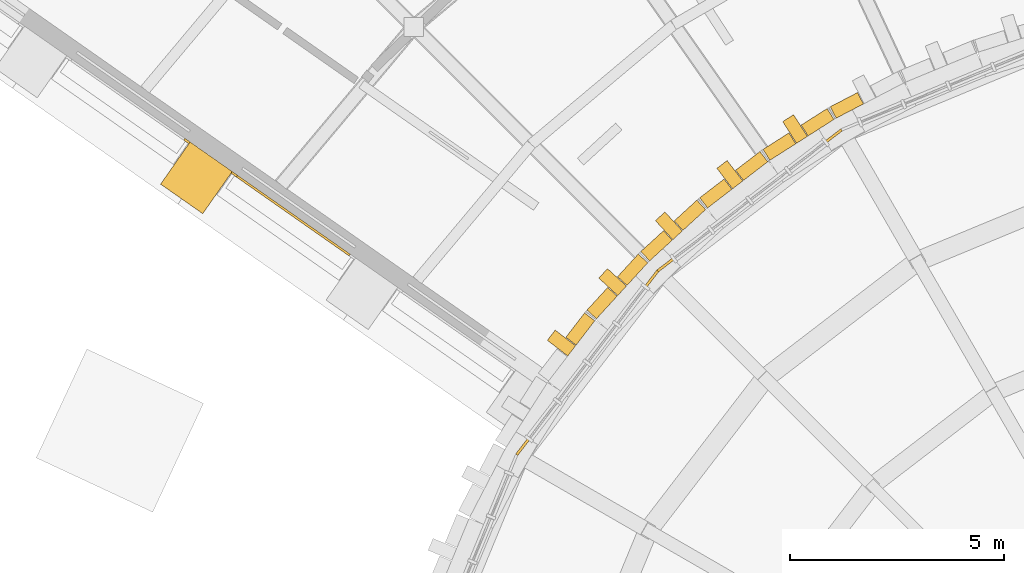
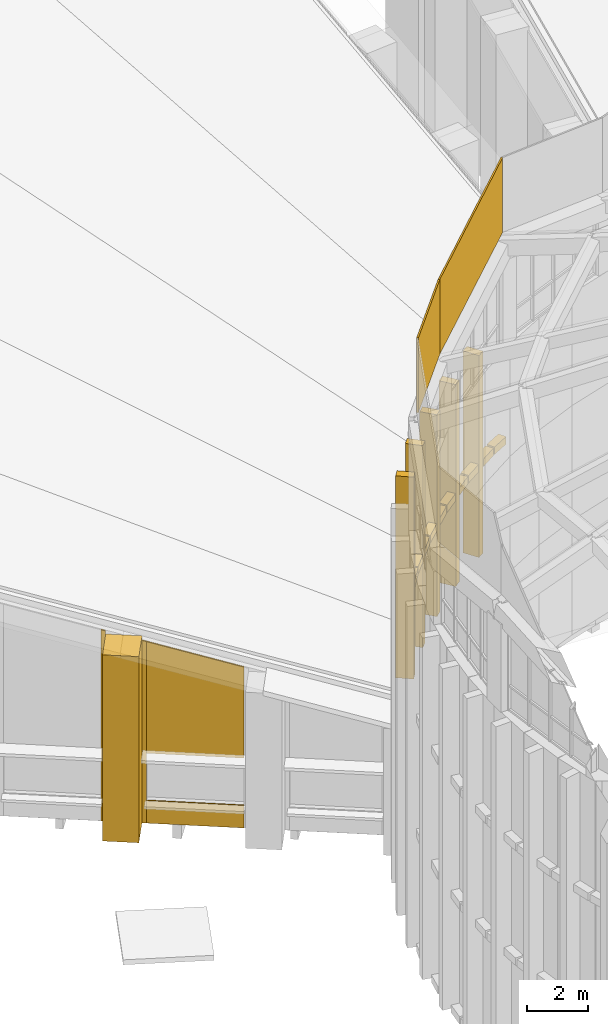
# One storey, part 67 of 82: 22 coverings.
"""IFC4 building model written with IfcOpenShell, lengths in metres."""

from ifc_helpers import new_model, si_unit, direction, frame, origin, origin_2d, place, context, subcontext, project, spatial, polyline, rectangle, outline, extrude, material, layer, layer_set, type_object, element, save


model = new_model("IFC4")

# Units and contexts
model_context = context("Model", 3, precision=1e-05, world=origin(), true_north=direction((0.0, 1.0)))
body_context = subcontext(model_context, "Body", "Model", "MODEL_VIEW")
ifc_project = project(units=[si_unit("LENGTHUNIT", "METRE"), si_unit("AREAUNIT", "SQUARE_METRE"), si_unit("VOLUMEUNIT", "CUBIC_METRE"), si_unit("PLANEANGLEUNIT", "RADIAN"), si_unit("MASSUNIT", "GRAM", prefix="KILO")], contexts=[model_context])

# Site, building, storey
site_placement = place(None, origin())
site = spatial("IfcSite", under=ifc_project, at=site_placement, CompositionType="ELEMENT")
building_placement = place(site_placement, origin())
building = spatial("IfcBuilding", under=site, at=building_placement, Name="Volute Hill Aquarium", CompositionType="ELEMENT")
storey_placement = place(building_placement, frame((0.0, 0.0, 13.800048828125)))
storey = spatial("IfcBuildingStorey", under=building, at=storey_placement, Name="L04", CompositionType="ELEMENT", Elevation=13.800048828125)

# Coverings
ifc_material_1 = material(Name="Precast pale concrete C40/50", Category="concrete")
covering_type_1 = type_object("IfcCoveringType", Name="Drum pier fin 300x600", PredefinedType="CLADDING", material=ifc_material_1)
for number, where, z_axis, x_axis, name in (
    (1, (-11.433837890625, 17.947509765625, 5.599853515625), (0.0, 0.0, 1.0), (-0.843391445813, -0.537299608347, 0.0), "Drum pier fin DF 25 L04"),
    (2, (-12.95458984375, 16.8828125, 5.599853515625), (0.0, 0.0, 1.0), (-0.793353340291, -0.608761429009, 0.0), "Drum pier fin DF 26 L04"),
    (3, (-14.376708984375, 15.689453125, 5.599853515625), (0.0, 0.0, 1.0), (-0.73727733681, -0.675590207616, 0.0), "Drum pier fin DF 27 L04"),
    (4, (-15.689453125, 14.376708984375, 5.599853515625), (0.0, 0.0, 1.0), (-0.675590207616, -0.73727733681, 0.0), "Drum pier fin DF 28 L04"),
    (5, (-16.8828125, 12.95458984375, 5.599853515625), (0.0, 0.0, 1.0), (-0.608761429009, -0.793353340291, 0.0), "Drum pier fin DF 29 L04"),
):
    element("IfcCovering", number, at=place(storey_placement, frame(where, z_axis=z_axis, x_axis=x_axis)), inside=storey, type_object=covering_type_1, Name=name, PredefinedType="CLADDING", context=body_context, shape_type="SweptSolid", body=[
        extrude(rectangle(XDim=0.300048828125, YDim=0.60009765625, at=origin_2d()), origin(), (0.0, 0.0, 1.0), 8.10009765625),
    ])
ifc_material_2 = material(Name="Precast concrete C40/50", Category="concrete")
covering_type_2 = type_object("IfcCoveringType", Name="Drum string course precast concrete C40/50 715x300", PredefinedType="CLADDING", material=ifc_material_2)
for number, where, z_axis, x_axis, name in (
    (6, (-10.224853515625, 18.499267578125, 9.0498046875), (0.0, 0.0, 1.0), (-0.887010833178, -0.461748613235, 0.0), "Drum string course DSC 24.3"),
    (7, (-10.908447265625, 18.1044921875, 9.0498046875), (0.0, 0.0, 1.0), (-0.843391445813, -0.537299608347, 0.0), "Drum string course DSC 25.3"),
    (8, (-11.798095703125, 17.53759765625, 9.0498046875), (0.0, 0.0, 1.0), (-0.843391445813, -0.537299608347, 0.0), "Drum string course DSC 25.3"),
    (9, (-12.44482421875, 17.0849609375, 9.0498046875), (0.0, 0.0, 1.0), (-0.793353340291, -0.608761429009, 0.0), "Drum string course DSC 26.3"),
    (10, (-13.28173828125, 16.442626953125, 9.0498046875), (0.0, 0.0, 1.0), (-0.793353340291, -0.608761429009, 0.0), "Drum string course DSC 26.3"),
    (11, (-13.886474609375, 15.935302734375, 9.0498046875), (0.0, 0.0, 1.0), (-0.73727733681, -0.675590207616, 0.0), "Drum string course DSC 27.3"),
    (12, (-14.664306640625, 15.22265625, 9.0498046875), (0.0, 0.0, 1.0), (-0.73727733681, -0.675590207616, 0.0), "Drum string course DSC 27.3"),
    (13, (-15.22265625, 14.664306640625, 9.0498046875), (0.0, 0.0, 1.0), (-0.675590207616, -0.73727733681, 0.0), "Drum string course DSC 28.3"),
    (14, (-15.935302734375, 13.886474609375, 9.0498046875), (0.0, 0.0, 1.0), (-0.675590207616, -0.73727733681, 0.0), "Drum string course DSC 28.3"),
    (15, (-16.442626953125, 13.28173828125, 9.0498046875), (0.0, 0.0, 1.0), (-0.608761429009, -0.793353340291, 0.0), "Drum string course DSC 29.3"),
):
    element("IfcCovering", number, at=place(storey_placement, frame(where, z_axis=z_axis, x_axis=x_axis)), inside=storey, type_object=covering_type_2, Name=name, PredefinedType="CLADDING", context=body_context, shape_type="SweptSolid", body=[
        extrude(rectangle(XDim=0.71484375, YDim=0.300048828125, at=origin_2d()), origin(), (0.0, 0.0, 1.0), 0.300048828125),
    ])
ifc_material_3 = material(Name="Zinc")
ifc_layer_1 = layer(ifc_material_3, 0.06005859375)
ifc_layer_set_1 = layer_set([ifc_layer_1], Name="Eave fascia zinc 60")
covering_type_3 = type_object("IfcCoveringType", Name="Eave fascia zinc 60", PredefinedType="CLADDING", material=ifc_layer_set_1)
covering_1_placement = place(storey_placement, frame((-10.368408203125, 17.950439453125, 18.099853515625), z_axis=(-0.608753981167, 0.793359055165, 0.0), x_axis=(-0.768005978347, -0.58930025924, -0.250782817759)))
element("IfcCovering", 16, at=covering_1_placement, inside=storey, type_object=covering_type_3, Name="Eave fascia EF 9", PredefinedType="CLADDING", context=body_context, shape_type="SweptSolid", body=[
    extrude(outline(polyline([(0.0, 0.0), (5.582130212353714, -2.220446049250313e-16), (4.829781759077633, 2.9041301287740344), (-0.7523484532760814, 2.904130128774035), (0.0, 0.0)])), origin(), (0.0, 0.0, -1.0), 0.06005859375),
])
covering_2_placement = place(storey_placement, frame((-14.660888671875, 14.655517578125, 16.699951171875), z_axis=(-0.793359055165, 0.608753981167, 0.0), x_axis=(-0.58930025924, -0.768005978347, 0.250782817759)))
element("IfcCovering", 17, at=covering_2_placement, inside=storey, type_object=covering_type_3, Name="Eave fascia EF 10", PredefinedType="CLADDING", context=body_context, shape_type="SweptSolid", body=[
    extrude(outline(polyline([(0.0, 0.0), (5.582130212353714, 2.220446049250313e-16), (6.3344786656297964, 2.9041301287740353), (0.7523484532760814, 2.904130128774035), (0.0, 0.0)])), origin(), (0.0, 0.0, -1.0), 0.06005859375),
])
ifc_material_4 = material(Name="Precast concrete C40/50", Category="concrete")
covering_type_4 = type_object("IfcCoveringType", Name="End wall precast fin C40/50 1200x1200", PredefinedType="CLADDING", material=ifc_material_4)
covering_3_placement = place(storey_placement, frame((-25.3994140625, 16.80810546875, 0.0), z_axis=(0.0, 0.0, 1.0), x_axis=(-0.819151442029, 0.573577296467, 0.0)))
element("IfcCovering", 18, at=covering_3_placement, inside=storey, type_object=covering_type_4, Name="End wall fin EWF S6B L04 3", PredefinedType="CLADDING", context=body_context, shape_type="SweptSolid", body=[
    extrude(rectangle(XDim=1.199951171875, YDim=1.199951171875, at=origin_2d()), origin(), (0.0, 0.0, 1.0), 7.470458984375),
])
ifc_material_5 = material(Name="Precast concrete C40/50", Category="concrete")
ifc_layer_2 = layer(ifc_material_5, 0.050048828125)
ifc_layer_set_2 = layer_set([ifc_layer_2], Name="End wall precast infill panel C40/50 50")
covering_type_5 = type_object("IfcCoveringType", Name="End wall precast infill panel C40/50 50", PredefinedType="CLADDING", material=ifc_layer_set_2)
covering_4_placement = place(storey_placement, frame((-21.80859375, 15.0263671875, 0.0), z_axis=(0.573579624401, 0.819149811983, 0.0), x_axis=(-0.819149811983, 0.573579624401, 0.0)))
element("IfcCovering", 19, at=covering_4_placement, inside=storey, type_object=covering_type_5, Name="End wall panel EWP S6B L04 2", PredefinedType="CLADDING", context=body_context, shape_type="SweptSolid", body=[
    extrude(outline(polyline([(0.0, 0.0), (3.2131852313460314, 0.0), (3.2131852313460314, 0.89990234375), (0.0, 0.89990234375), (0.0, 0.0)])), origin(), (0.0, 0.0, -1.0), 0.050048828125),
])
covering_5_placement = place(storey_placement, frame((-21.80859375, 15.0263671875, 2.800048828125), z_axis=(0.573579624401, 0.819149811983, 0.0), x_axis=(-0.819149811983, 0.573579624401, 0.0)))
element("IfcCovering", 20, at=covering_5_placement, inside=storey, type_object=covering_type_5, Name="End wall panel EWP S6B L04 2", PredefinedType="CLADDING", context=body_context, shape_type="SweptSolid", body=[
    extrude(outline(polyline([(0.0, 0.0), (3.213185231346031, 0.0), (3.213185231346031, 4.4775390625), (0.0, 3.6513671875), (0.0, 0.0)])), origin(), (0.0, 0.0, -1.0), 0.050048828125),
])
covering_6_placement = place(storey_placement, frame((-24.440673828125, 16.869384765625, 0.0), z_axis=(0.57368046593, 0.819079192149, 0.0), x_axis=(-0.819079192149, 0.57368046593, 0.0)))
element("IfcCovering", 21, at=covering_6_placement, inside=storey, type_object=covering_type_5, Name="End wall panel EWP S6B L04 2", PredefinedType="CLADDING", context=body_context, shape_type="SweptSolid", body=[
    extrude(outline(polyline([(0.0, 0.0), (0.15022585871973665, 0.0), (0.15022585871973665, 7.316162109375), (0.0, 7.277587890625), (0.0, 0.0)])), origin(), (0.0, 0.0, -1.0), 0.050048828125),
])
covering_7_placement = place(storey_placement, frame((-25.546630859375, 17.643798828125, 0.0), z_axis=(0.573353020881, 0.819308436089, 0.0), x_axis=(-0.819308436089, 0.573353020881, 0.0)))
element("IfcCovering", 22, at=covering_7_placement, inside=storey, type_object=covering_type_5, Name="End wall panel EWP S6B L04 3", PredefinedType="CLADDING", context=body_context, shape_type="SweptSolid", body=[
    extrude(outline(polyline([(0.0, 0.0), (0.1498858414801972, 0.0), (0.1498858414801972, 7.663085937499999), (0.0, 7.624511718749999), (0.0, 0.0)])), origin(), (0.0, 0.0, -1.0), 0.050048828125),
])

save(model, "model.ifc")
